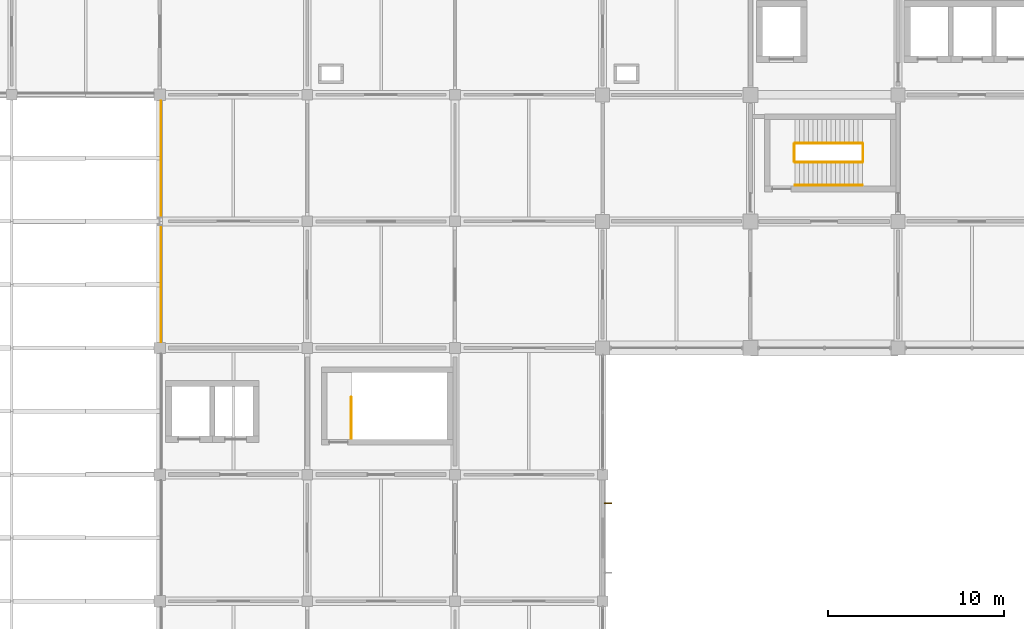
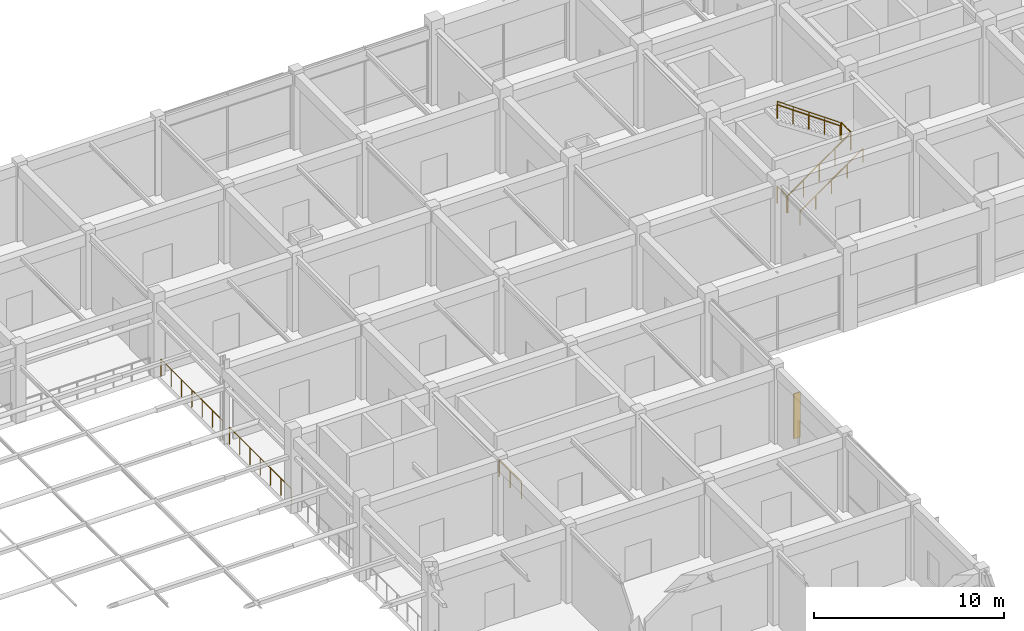
# One storey, part 36 of 38: 9 railings, 1 shading device.
"""IFC4 building model written with IfcOpenShell, lengths in metres."""

from ifc_helpers import new_model, si_unit, derived_unit, direction, frame, origin, origin_2d, place, context, subcontext, project, spatial, rectangle, circle, extrude, material, layer, layer_set, type_object, element, save


model = new_model("IFC4")

# Units and contexts
model_context = context("Model", 3, precision=1e-05, world=origin(), true_north=direction((0.0, 1.0)))
body_context = subcontext(model_context, "Body", "Model", "MODEL_VIEW")
ifc_project = project(units=[si_unit("LENGTHUNIT", "METRE"), si_unit("AREAUNIT", "SQUARE_METRE"), si_unit("VOLUMEUNIT", "CUBIC_METRE"), si_unit("PLANEANGLEUNIT", "RADIAN"), si_unit("MASSUNIT", "GRAM", prefix="KILO"), derived_unit("THERMALTRANSMITTANCEUNIT", [(si_unit("MASSUNIT", "GRAM", prefix="KILO"), 1), (si_unit("TIMEUNIT", "SECOND"), -3), (si_unit("THERMODYNAMICTEMPERATUREUNIT", "KELVIN"), -1)])], contexts=[model_context])

# Site, building, storey
site_placement = place(None, origin())
site = spatial("IfcSite", under=ifc_project, at=site_placement, CompositionType="ELEMENT")
building_placement = place(site_placement, origin())
building = spatial("IfcBuilding", under=site, at=building_placement, Name="Veldstrom Oceanarium and Marine Research Institute", CompositionType="ELEMENT")
storey_placement = place(building_placement, frame((0.0, 0.0, 16.800048828125)))
storey = spatial("IfcBuildingStorey", under=building, at=storey_placement, Name="L03", CompositionType="ELEMENT", Elevation=16.800048828125)

# Railings
ifc_material_1 = material(Name="Duplex Stainless Steel Balustrade", Category="steel")
ifc_layer_1 = layer(ifc_material_1, 0.06005859375)
ifc_layer_set_1 = layer_set([ifc_layer_1], Name="ARC-RLG-GR1")
railing_type_1 = type_object("IfcRailingType", Name="ARC-RLG-GR1", PredefinedType="GUARDRAIL", material=ifc_layer_set_1)
railing_1_placement = place(storey_placement, frame((78.10009765625, 53.800048828125, 0.0)))
element("IfcRailing", 1, at=railing_1_placement, inside=storey, type_object=railing_type_1, Name="Stair Well Landing Guard ST1 L03", PredefinedType="GUARDRAIL", context=body_context, shape_type="SweptSolid", body=[
    extrude(circle(Radius=0.02392578125, at=origin_2d()), frame((0.0, 0.0, 1.09619140625), z_axis=(0.0, 1.0, 0.0), x_axis=(-1.0, 0.0, 0.0)), (0.0, 0.0, 1.0), 1.0),
    extrude(circle(Radius=0.02099609375, at=origin_2d()), origin(), (0.0, 0.0, 1.0), 1.072021484375),
    extrude(circle(Radius=0.02099609375, at=origin_2d()), frame((0.0, 1.0, 0.0)), (0.0, 0.0, 1.0), 1.072021484375),
])
railing_2_placement = place(storey_placement, frame((78.139892578125, 53.760009765625, 0.0)))
element("IfcRailing", 2, at=railing_2_placement, inside=storey, type_object=railing_type_1, Name="Stair Flight Guardrail ST1-L03-1", PredefinedType="GUARDRAIL", context=body_context, shape_type="SweptSolid", body=[
    extrude(circle(Radius=0.02392578125, at=origin_2d()), frame((0.0, 0.0, 1.09619140625), z_axis=(0.816986648995, 0.0, 0.576656583561), x_axis=(0.0, 1.0, 0.0)), (0.0, 0.0, 1.0), 4.68212890625),
    extrude(circle(Radius=0.02099609375, at=origin_2d()), origin(), (0.0, 0.0, 1.0), 1.072021484375),
    extrude(circle(Radius=0.02099609375, at=origin_2d()), frame((0.956298828125, 0.0, 0.675048828125)), (0.0, 0.0, 1.0), 1.072021484375),
    extrude(circle(Radius=0.02099609375, at=origin_2d()), frame((1.91259765625, 0.0, 1.35009765625)), (0.0, 0.0, 1.0), 1.072021484375),
    extrude(circle(Radius=0.02099609375, at=origin_2d()), frame((2.868896484375, 0.0, 2.02490234375)), (0.0, 0.0, 1.0), 1.072021484375),
    extrude(circle(Radius=0.02099609375, at=origin_2d()), frame((3.8251953125, 0.0, 2.699951171875)), (0.0, 0.0, 1.0), 1.072021484375),
])
railing_3_placement = place(storey_placement, frame((82.0048828125, 53.800048828125, 2.699951171875)))
element("IfcRailing", 3, at=railing_3_placement, inside=storey, type_object=railing_type_1, Name="Stair Half-Landing Guardrail ST1-L03", PredefinedType="GUARDRAIL", context=body_context, shape_type="SweptSolid", body=[
    extrude(circle(Radius=0.02392578125, at=origin_2d()), frame((0.0, 0.0, 1.09619140625), z_axis=(0.0, 1.0, 0.0), x_axis=(-1.0, 0.0, 0.0)), (0.0, 0.0, 1.0), 1.0),
    extrude(circle(Radius=0.02099609375, at=origin_2d()), origin(), (0.0, 0.0, 1.0), 1.072021484375),
    extrude(circle(Radius=0.02099609375, at=origin_2d()), frame((0.0, 1.0, 0.0)), (0.0, 0.0, 1.0), 1.072021484375),
])
railing_4_placement = place(storey_placement, frame((81.965087890625, 54.840087890625, 2.699951171875)))
element("IfcRailing", 4, at=railing_4_placement, inside=storey, type_object=railing_type_1, Name="Stair Flight Guardrail ST1-L03-2", PredefinedType="GUARDRAIL", context=body_context, shape_type="SweptSolid", body=[
    extrude(circle(Radius=0.02392578125, at=origin_2d()), frame((0.0, 0.0, 1.09619140625), z_axis=(-0.816986648995, 0.0, 0.576656583561), x_axis=(0.0, -1.0, 0.0)), (0.0, 0.0, 1.0), 4.68212890625),
    extrude(circle(Radius=0.02099609375, at=origin_2d()), origin(), (0.0, 0.0, 1.0), 1.072021484375),
    extrude(circle(Radius=0.02099609375, at=origin_2d()), frame((-0.956298828125, 0.0, 0.675048828125)), (0.0, 0.0, 1.0), 1.072021484375),
    extrude(circle(Radius=0.02099609375, at=origin_2d()), frame((-1.91259765625, 0.0, 1.35009765625)), (0.0, 0.0, 1.0), 1.072021484375),
    extrude(circle(Radius=0.02099609375, at=origin_2d()), frame((-2.868896484375, 0.0, 2.02490234375)), (0.0, 0.0, 1.0), 1.072021484375),
    extrude(circle(Radius=0.02099609375, at=origin_2d()), frame((-3.8251953125, 0.0, 2.699951171875)), (0.0, 0.0, 1.0), 1.072021484375),
])
railing_5_placement = place(storey_placement, frame((52.89990234375, 38.050048828125, 0.0)))
element("IfcRailing", 5, at=railing_5_placement, inside=storey, type_object=railing_type_1, Name="Stair Well Landing Guard ST6 L03", PredefinedType="GUARDRAIL", context=body_context, shape_type="SweptSolid", body=[
    extrude(circle(Radius=0.02392578125, at=origin_2d()), frame((0.0, 0.0, 1.09619140625), z_axis=(0.0, 1.0, 0.0), x_axis=(-1.0, 0.0, 0.0)), (0.0, 0.0, 1.0), 2.349853515625),
    extrude(circle(Radius=0.02099609375, at=origin_2d()), origin(), (0.0, 0.0, 1.0), 1.072021484375),
    extrude(circle(Radius=0.02099609375, at=origin_2d()), frame((0.0, 1.1748046875, 0.0)), (0.0, 0.0, 1.0), 1.072021484375),
    extrude(circle(Radius=0.02099609375, at=origin_2d()), frame((0.0, 2.349853515625, 0.0)), (0.0, 0.0, 1.0), 1.072021484375),
])
for number, where, name in (
    (6, (42.080078125, 43.550048828125, 0.0), "Atrium Overlook Guardrail GR-ATR-L03-36"),
    (7, (42.080078125, 50.75, 0.0), "Atrium Overlook Guardrail GR-ATR-L03-37"),
):
    element("IfcRailing", number, at=place(storey_placement, frame(where)), inside=storey, type_object=railing_type_1, Name=name, PredefinedType="GUARDRAIL", context=body_context, shape_type="SweptSolid", body=[
        extrude(circle(Radius=0.02392578125, at=origin_2d()), frame((0.0, 0.0, 1.09619140625), z_axis=(0.0, 1.0, 0.0), x_axis=(-1.0, 0.0, 0.0)), (0.0, 0.0, 1.0), 6.5),
        extrude(circle(Radius=0.02099609375, at=origin_2d()), origin(), (0.0, 0.0, 1.0), 1.072021484375),
        extrude(circle(Radius=0.02099609375, at=origin_2d()), frame((0.0, 1.083251953125, 0.0)), (0.0, 0.0, 1.0), 1.072021484375),
        extrude(circle(Radius=0.02099609375, at=origin_2d()), frame((0.0, 2.166748046875, 0.0)), (0.0, 0.0, 1.0), 1.072021484375),
        extrude(circle(Radius=0.02099609375, at=origin_2d()), frame((0.0, 3.25, 0.0)), (0.0, 0.0, 1.0), 1.072021484375),
        extrude(circle(Radius=0.02099609375, at=origin_2d()), frame((0.0, 4.333251953125, 0.0)), (0.0, 0.0, 1.0), 1.072021484375),
        extrude(circle(Radius=0.02099609375, at=origin_2d()), frame((0.0, 5.416748046875, 0.0)), (0.0, 0.0, 1.0), 1.072021484375),
        extrude(circle(Radius=0.02099609375, at=origin_2d()), frame((0.0, 6.5, 0.0)), (0.0, 0.0, 1.0), 1.072021484375),
    ])
ifc_material_2 = material(Name="Brushed Stainless Steel Handrail", Category="steel")
ifc_layer_2 = layer(ifc_material_2, 0.050048828125)
ifc_layer_set_2 = layer_set([ifc_layer_2], Name="ARC-RLG-HR1")
railing_type_2 = type_object("IfcRailingType", Name="ARC-RLG-HR1", PredefinedType="HANDRAIL", material=ifc_layer_set_2)
railing_6_placement = place(storey_placement, frame((78.139892578125, 52.4599609375, 0.0)))
element("IfcRailing", 8, at=railing_6_placement, inside=storey, type_object=railing_type_2, Name="Stair Wall Handrail ST1-L03-1", PredefinedType="HANDRAIL", context=body_context, shape_type="SweptSolid", body=[
    extrude(circle(Radius=0.02392578125, at=origin_2d()), frame((0.0, 0.0, 0.8759765625), z_axis=(0.816986648995, 0.0, 0.576656583561), x_axis=(0.0, 1.0, 0.0)), (0.0, 0.0, 1.0), 4.68212890625),
    extrude(circle(Radius=0.02099609375, at=origin_2d()), origin(), (0.0, 0.0, 1.0), 0.851806640625),
    extrude(circle(Radius=0.02099609375, at=origin_2d()), frame((0.956298828125, 0.0, 0.675048828125)), (0.0, 0.0, 1.0), 0.851806640625),
    extrude(circle(Radius=0.02099609375, at=origin_2d()), frame((1.91259765625, 0.0, 1.35009765625)), (0.0, 0.0, 1.0), 0.851806640625),
    extrude(circle(Radius=0.02099609375, at=origin_2d()), frame((2.868896484375, 0.0, 2.02490234375)), (0.0, 0.0, 1.0), 0.851806640625),
    extrude(circle(Radius=0.02099609375, at=origin_2d()), frame((3.8251953125, 0.0, 2.699951171875)), (0.0, 0.0, 1.0), 0.851806640625),
])
railing_7_placement = place(storey_placement, frame((81.965087890625, 54.860107421875, 2.699951171875)))
element("IfcRailing", 9, at=railing_7_placement, inside=storey, type_object=railing_type_2, Name="Stair Wall Handrail ST1-L03-2", PredefinedType="HANDRAIL", context=body_context, shape_type="SweptSolid", body=[
    extrude(circle(Radius=0.02392578125, at=origin_2d()), frame((0.0, 0.0, 0.8759765625), z_axis=(-0.816986648995, 0.0, 0.576656583561), x_axis=(0.0, -1.0, 0.0)), (0.0, 0.0, 1.0), 4.68212890625),
    extrude(circle(Radius=0.02099609375, at=origin_2d()), origin(), (0.0, 0.0, 1.0), 0.851806640625),
    extrude(circle(Radius=0.02099609375, at=origin_2d()), frame((-0.956298828125, 0.0, 0.675048828125)), (0.0, 0.0, 1.0), 0.851806640625),
    extrude(circle(Radius=0.02099609375, at=origin_2d()), frame((-1.91259765625, 0.0, 1.35009765625)), (0.0, 0.0, 1.0), 0.851806640625),
    extrude(circle(Radius=0.02099609375, at=origin_2d()), frame((-2.868896484375, 0.0, 2.02490234375)), (0.0, 0.0, 1.0), 0.851806640625),
    extrude(circle(Radius=0.02099609375, at=origin_2d()), frame((-3.8251953125, 0.0, 2.699951171875)), (0.0, 0.0, 1.0), 0.851806640625),
])

# Shading device
ifc_material_3 = material(Name="Precast Terracotta Brise-Soleil Louvre", Category="masonry")
ifc_layer_3 = layer(ifc_material_3, 2.89990234375)
ifc_layer_set_3 = layer_set([ifc_layer_3], Name="ARC-SHD-BS04")
shading_device_type = type_object("IfcShadingDeviceType", Name="ARC-SHD-BS04", PredefinedType="JALOUSIE", material=ifc_layer_set_3)
shading_device_placement = place(storey_placement, frame((67.50244140625, 34.3798828125, 1.02490234375), z_axis=(0.0, 0.0, 1.0), x_axis=(1.0, 0.0, 0.0)))
element("IfcShadingDevice", 10, at=shading_device_placement, inside=storey, type_object=shading_device_type, Name="Terracotta Brise-Soleil Louvre L03-091", PredefinedType="JALOUSIE", context=body_context, shape_type="SweptSolid", body=[
    extrude(rectangle(XDim=0.39990234375, YDim=0.054931640625, at=origin_2d()), origin(), (0.0, 0.0, 1.0), 2.89990234375),
])

save(model, "model.ifc")
